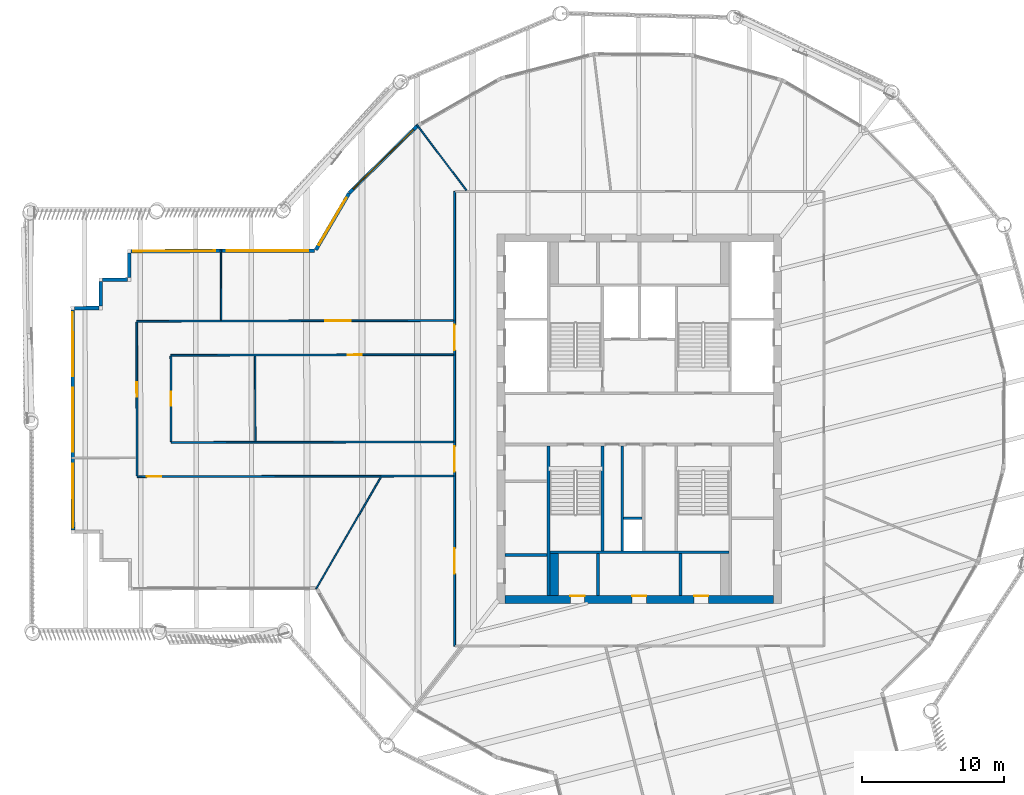
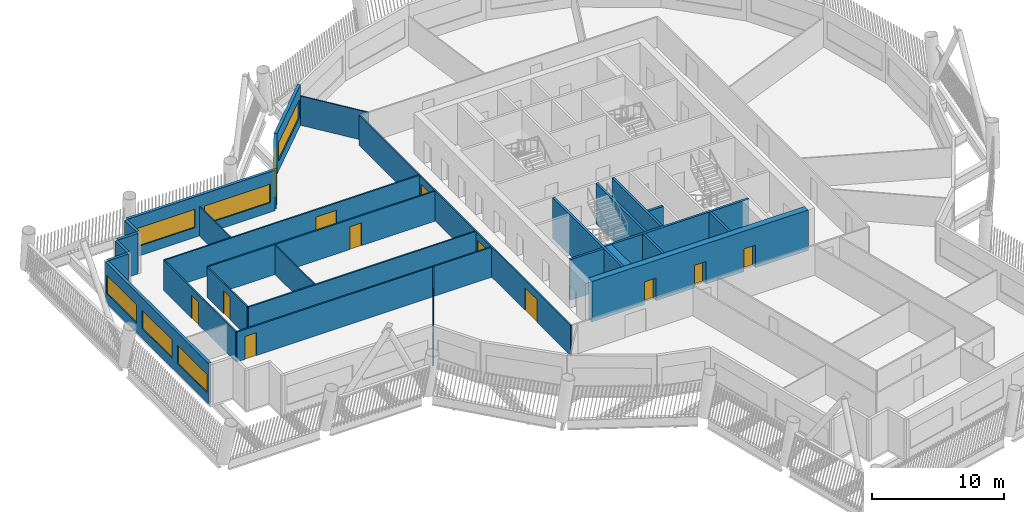
# One storey, part 4 of 22: 29 walls, 11 doors, 7 windows, 18 openings.
"""IFC4 building model written with IfcOpenShell, lengths in metres."""

from ifc_helpers import new_model, si_unit, direction, frame, frame_2d, origin, place, context, subcontext, project, spatial, rectangle, extrude, material, layer, layer_set, type_object, element, fill, save


model = new_model("IFC4")

# Units and contexts
model_context = context("Model", 3, precision=1e-05, world=origin(), true_north=direction((0.0, 1.0)))
body_context = subcontext(model_context, "Body", "Model", "MODEL_VIEW")
ifc_project = project(units=[si_unit("LENGTHUNIT", "METRE"), si_unit("AREAUNIT", "SQUARE_METRE"), si_unit("VOLUMEUNIT", "CUBIC_METRE"), si_unit("PLANEANGLEUNIT", "RADIAN"), si_unit("MASSUNIT", "GRAM", prefix="KILO")], contexts=[model_context])

# Site, building, storey
site_placement = place(None, origin())
site = spatial("IfcSite", under=ifc_project, at=site_placement, CompositionType="ELEMENT")
building_placement = place(site_placement, origin())
building = spatial("IfcBuilding", under=site, at=building_placement, Name="Tarsis Ring Headquarters", CompositionType="ELEMENT")
storey_placement = place(building_placement, frame((0.0, 0.0, 286.39990234375)))
storey = spatial("IfcBuildingStorey", under=building, at=storey_placement, Name="L67", CompositionType="ELEMENT", Elevation=286.39990234375)

# Walls
ifc_material_1 = material(Name="Blockwork", Category="masonry")
ifc_layer_1 = layer(ifc_material_1, 0.199951171875)
ifc_layer_set_1 = layer_set([ifc_layer_1], Name="Core blockwork wall 200")
wall_type_1 = type_object("IfcWallType", Name="Core blockwork wall 200", PredefinedType="PARTITIONING", material=ifc_layer_set_1)
for number, where, z_axis, x_axis, name in (
    (1, (-9.449951171875, -9.60009765625, 0.0), (0.0, 0.0, 1.0), (1.0, 0.0, 0.0), "Core partition WD1"),
    (2, (-2.89990234375, -12.449951171875, 0.0), (0.0, 0.0, 1.0), (0.0, 1.0, 0.0), "Core partition SD1"),
    (3, (2.89990234375, -12.449951171875, 0.0), (0.0, 0.0, 1.0), (0.0, 1.0, 0.0), "Core partition SD3"),
):
    element("IfcWall", number, at=place(storey_placement, frame(where, z_axis=z_axis, x_axis=x_axis)), inside=storey, type_object=wall_type_1, Name=name, PredefinedType="PARTITIONING", context=body_context, shape_type="SweptSolid", body=[
        extrude(rectangle(XDim=2.949951171875, YDim=0.199951171875, at=frame_2d((1.47509765625, 0.0))), origin(), (0.0, 0.0, 1.0), 3.739990234375),
    ])
wall_1_placement = place(storey_placement, frame((-1.10009765625, -7.0, 0.0), z_axis=(0.0, 0.0, 1.0), x_axis=(1.0, 0.0, 0.0)))
element("IfcWall", 4, at=wall_1_placement, inside=storey, type_object=wall_type_1, Name="Core partition SP2", PredefinedType="PARTITIONING", context=body_context, shape_type="SweptSolid", body=[
    extrude(rectangle(XDim=1.300048828125, YDim=0.199951171875, at=frame_2d((0.64990234375, 0.0))), origin(), (0.0, 0.0, 1.0), 3.739990234375),
])
wall_2_placement = place(storey_placement, frame((-1.199951171875, -9.300048828125, 0.0), z_axis=(0.0, 0.0, 1.0), x_axis=(0.0, 1.0, 0.0)))
element("IfcWall", 5, at=wall_2_placement, inside=storey, type_object=wall_type_1, Name="Core partition SV1", PredefinedType="PARTITIONING", context=body_context, shape_type="SweptSolid", body=[
    extrude(rectangle(XDim=7.400146484375, YDim=0.199951171875, at=frame_2d((3.7001953125, 0.0))), origin(), (0.0, 0.0, 1.0), 3.739990234375),
])

# Wall, openings, doors
ifc_material_2 = material(Name="Concrete C50/60", Category="concrete")
ifc_layer_2 = layer(ifc_material_2, 0.550048828125)
ifc_layer_set_2 = layer_set([ifc_layer_2], Name="Core wall 550 C50/60")
wall_type_2 = type_object("IfcWallType", Name="Core wall 550 C50/60", PredefinedType="SHEAR", material=ifc_layer_set_2)
wall_3_placement = place(storey_placement, frame((-9.449951171875, -12.72509765625, 0.0), z_axis=(0.0, 0.0, 1.0), x_axis=(1.0, 0.0, 0.0)))
wall_3 = element("IfcWall", 6, at=wall_3_placement, inside=storey, type_object=wall_type_2, Name="Core wall OS", PredefinedType="SHEAR", context=body_context, shape_type="SweptSolid", body=[
    extrude(rectangle(XDim=18.89990234375, YDim=0.550048828125, at=frame_2d((9.449951171875, 0.0))), origin(), (0.0, 0.0, 1.0), 3.739990234375),
])
opening_1_placement = place(wall_3_placement, frame((4.60009765625, 0.0, 0.0)))
opening_1 = element("IfcOpeningElement", 7, at=opening_1_placement, cuts=wall_3, Name="Opening L67-C19", PredefinedType="OPENING", context=body_context, shape_type="SweptSolid", body=[
    extrude(rectangle(XDim=1.0, YDim=2.10009765625, at=frame_2d((0.5, 1.050048828125))), frame((0.0, 0.284912109375, 0.0), z_axis=(0.0, -1.0, 0.0), x_axis=(1.0, 0.0, 0.0)), (0.0, 0.0, 1.0), 0.570068359375),
])
opening_2_placement = place(wall_3_placement, frame((8.949951171875, 0.0, 0.0)))
opening_2 = element("IfcOpeningElement", 8, at=opening_2_placement, cuts=wall_3, Name="Opening L67-C20", PredefinedType="OPENING", context=body_context, shape_type="SweptSolid", body=[
    extrude(rectangle(XDim=1.0, YDim=2.10009765625, at=frame_2d((0.5, 1.050048828125))), frame((0.0, 0.284912109375, 0.0), z_axis=(0.0, -1.0, 0.0), x_axis=(1.0, 0.0, 0.0)), (0.0, 0.0, 1.0), 0.570068359375),
])
opening_3_placement = place(wall_3_placement, frame((13.300048828125, 0.0, 0.0)))
opening_3 = element("IfcOpeningElement", 9, at=opening_3_placement, cuts=wall_3, Name="Opening L67-C21", PredefinedType="OPENING", context=body_context, shape_type="SweptSolid", body=[
    extrude(rectangle(XDim=1.0, YDim=2.10009765625, at=frame_2d((0.5, 1.050048828125))), frame((0.0, 0.284912109375, 0.0), z_axis=(0.0, -1.0, 0.0), x_axis=(1.0, 0.0, 0.0)), (0.0, 0.0, 1.0), 0.570068359375),
])
ifc_material_3 = material(Name="Steel S355", Category="steel")
door_type_1 = type_object("IfcDoorType", Name="Core room door 1000x2100", OperationType="SINGLE_SWING_LEFT", PredefinedType="DOOR", material=ifc_material_3)
door_1_placement = place(opening_1_placement, origin())
door_1 = element("IfcDoor", 10, at=door_1_placement, inside=storey, type_object=door_type_1, Name="Core room door L67", OperationType="SINGLE_SWING_LEFT", OverallHeight=2.10009765625, OverallWidth=1.0, PredefinedType="DOOR", context=body_context, shape_type="SweptSolid", body=[
    extrude(rectangle(XDim=1.0, YDim=2.10009765625, at=frame_2d((0.5, 1.050048828125))), frame((0.0, 0.27490234375, 0.0), z_axis=(0.0, -1.0, 0.0), x_axis=(1.0, 0.0, 0.0)), (0.0, 0.0, 1.0), 0.050048828125),
])
fill(opening_1, door_1)
door_2_placement = place(opening_2_placement, origin())
door_2 = element("IfcDoor", 11, at=door_2_placement, inside=storey, type_object=door_type_1, Name="Core room door L67", OperationType="SINGLE_SWING_LEFT", OverallHeight=2.10009765625, OverallWidth=1.0, PredefinedType="DOOR", context=body_context, shape_type="SweptSolid", body=[
    extrude(rectangle(XDim=1.0, YDim=2.10009765625, at=frame_2d((0.5, 1.050048828125))), frame((0.0, 0.27490234375, 0.0), z_axis=(0.0, -1.0, 0.0), x_axis=(1.0, 0.0, 0.0)), (0.0, 0.0, 1.0), 0.050048828125),
])
fill(opening_2, door_2)
door_3_placement = place(opening_3_placement, origin())
door_3 = element("IfcDoor", 12, at=door_3_placement, inside=storey, type_object=door_type_1, Name="Core room door L67", OperationType="SINGLE_SWING_LEFT", OverallHeight=2.10009765625, OverallWidth=1.0, PredefinedType="DOOR", context=body_context, shape_type="SweptSolid", body=[
    extrude(rectangle(XDim=1.0, YDim=2.10009765625, at=frame_2d((0.5, 1.050048828125))), frame((0.0, 0.27490234375, 0.0), z_axis=(0.0, -1.0, 0.0), x_axis=(1.0, 0.0, 0.0)), (0.0, 0.0, 1.0), 0.050048828125),
])
fill(opening_3, door_3)

# Walls
ifc_material_4 = material(Name="Gypsum board on steel studs", Category="steel")
ifc_layer_3 = layer(ifc_material_4, 0.10009765625)
ifc_layer_set_3 = layer_set([ifc_layer_3], Name="FL partition 100 unrated")
wall_type_3 = type_object("IfcWallType", Name="FL partition 100 unrated", PredefinedType="PARTITIONING", material=ifc_layer_set_3)
wall_4_placement = place(storey_placement, frame((-22.754150390625, -11.97265625, 0.0), z_axis=(0.0, 0.0, 1.0), x_axis=(0.501964291493, 0.864888345433, 0.0)))
element("IfcWall", 13, at=wall_4_placement, inside=storey, type_object=wall_type_3, Name="Partition PW3", PredefinedType="PARTITIONING", context=body_context, shape_type="SweptSolid", body=[
    extrude(rectangle(XDim=9.08154296875, YDim=0.10009765625, at=frame_2d((4.540771484375, 0.0))), origin(), (0.0, 0.0, 1.0), 2.7001953125),
])
wall_5_placement = place(storey_placement, frame((-27.039306640625, 4.413330078125, 0.0), z_axis=(0.0, 0.0, 1.0), x_axis=(0.00211588068, -0.999997761522, 0.0)))
element("IfcWall", 14, at=wall_5_placement, inside=storey, type_object=wall_type_3, Name="Partition PW3", PredefinedType="PARTITIONING", context=body_context, shape_type="SweptSolid", body=[
    extrude(rectangle(XDim=6.0, YDim=0.10009765625, at=frame_2d((3.0, 0.0))), origin(), (0.0, 0.0, 1.0), 2.7001953125),
])
wall_6_placement = place(storey_placement, frame((-15.6591796875, 20.690185546875, 0.0), z_axis=(0.0, 0.0, 1.0), x_axis=(0.603460085082, -0.797393206463, 0.0)))
element("IfcWall", 15, at=wall_6_placement, inside=storey, type_object=wall_type_3, Name="Partition PW3", PredefinedType="PARTITIONING", context=body_context, shape_type="SweptSolid", body=[
    extrude(rectangle(XDim=5.781982421875, YDim=0.10009765625, at=frame_2d((2.89111328125, 0.0))), origin(), (0.0, 0.0, 1.0), 2.7001953125),
])
wall_7_placement = place(storey_placement, frame((-29.445068359375, 11.888427734375, 0.0), z_axis=(0.0, 0.0, 1.0), x_axis=(0.002125131111, -0.999997741906, 0.0)))
element("IfcWall", 16, at=wall_7_placement, inside=storey, type_object=wall_type_3, Name="Partition PW3", PredefinedType="PARTITIONING", context=body_context, shape_type="SweptSolid", body=[
    extrude(rectangle(XDim=4.93994140625, YDim=0.10009765625, at=frame_2d((2.469970703125, 0.0))), origin(), (0.0, 0.0, 1.0), 2.7001953125),
])

# Wall, openings, doors
ifc_layer_4 = layer(ifc_material_4, 0.125)
ifc_layer_set_4 = layer_set([ifc_layer_4], Name="FL partition 125 EI 60 H2770")
wall_type_4 = type_object("IfcWallType", Name="FL partition 125 EI 60 H2770", PredefinedType="PARTITIONING", material=ifc_layer_set_4)
wall_8_placement = place(storey_placement, frame((-13.0, -16.0, 0.0), z_axis=(0.0, 0.0, 1.0), x_axis=(0.0, 1.0, 0.0)))
wall_8 = element("IfcWall", 17, at=wall_8_placement, inside=storey, type_object=wall_type_4, Name="Partition PW1", PredefinedType="PARTITIONING", context=body_context, shape_type="SweptSolid", body=[
    extrude(rectangle(XDim=32.0, YDim=0.125, at=frame_2d((16.0, 0.0))), origin(), (0.0, 0.0, 1.0), 2.77001953125),
])
opening_4_placement = place(wall_8_placement, frame((5.08642578125, 0.0, 0.0)))
opening_4 = element("IfcOpeningElement", 18, at=opening_4_placement, cuts=wall_8, Name="Opening D67.13", PredefinedType="OPENING", context=body_context, shape_type="SweptSolid", body=[
    extrude(rectangle(XDim=1.800048828125, YDim=2.10009765625, at=frame_2d((0.89990234375, 1.050048828125))), frame((0.0, 0.072509765625, 0.0), z_axis=(0.0, -1.0, 0.0), x_axis=(1.0, 0.0, 0.0)), (0.0, 0.0, 1.0), 0.14501953125),
])
opening_5_placement = place(wall_8_placement, frame((12.272705078125, 0.0, 0.0)))
opening_5 = element("IfcOpeningElement", 19, at=opening_5_placement, cuts=wall_8, Name="Opening D67.20", PredefinedType="OPENING", context=body_context, shape_type="SweptSolid", body=[
    extrude(rectangle(XDim=1.800048828125, YDim=2.10009765625, at=frame_2d((0.89990234375, 1.050048828125))), frame((0.0, 0.072509765625, 0.0), z_axis=(0.0, -1.0, 0.0), x_axis=(1.0, 0.0, 0.0)), (0.0, 0.0, 1.0), 0.14501953125),
])
opening_6_placement = place(wall_8_placement, frame((20.812744140625, 0.0, 0.0)))
opening_6 = element("IfcOpeningElement", 20, at=opening_6_placement, cuts=wall_8, Name="Opening D67.21", PredefinedType="OPENING", context=body_context, shape_type="SweptSolid", body=[
    extrude(rectangle(XDim=1.800048828125, YDim=2.10009765625, at=frame_2d((0.89990234375, 1.050048828125))), frame((0.0, 0.072509765625, 0.0), z_axis=(0.0, -1.0, 0.0), x_axis=(1.0, 0.0, 0.0)), (0.0, 0.0, 1.0), 0.14501953125),
])
ifc_material_5 = material(Name="Fire-rated timber door leaf in steel frame", Category="steel")
door_type_2 = type_object("IfcDoorType", Name="FL door FD60-1800", OperationType="DOUBLE_DOOR_SINGLE_SWING", PredefinedType="DOOR", material=ifc_material_5)
door_4_placement = place(opening_4_placement, origin())
door_4 = element("IfcDoor", 21, at=door_4_placement, inside=storey, type_object=door_type_2, Name="Door D67.13", OperationType="DOUBLE_DOOR_SINGLE_SWING", OverallHeight=2.10009765625, OverallWidth=1.800048828125, PredefinedType="DOOR", context=body_context, shape_type="SweptSolid", body=[
    extrude(rectangle(XDim=1.800048828125, YDim=2.10009765625, at=frame_2d((0.89990234375, 1.050048828125))), frame((0.0, 0.02490234375, 0.0), z_axis=(0.0, -1.0, 0.0), x_axis=(1.0, 0.0, 0.0)), (0.0, 0.0, 1.0), 0.050048828125),
])
fill(opening_4, door_4)
door_5_placement = place(opening_5_placement, origin())
door_5 = element("IfcDoor", 22, at=door_5_placement, inside=storey, type_object=door_type_2, Name="Door D67.20", OperationType="DOUBLE_DOOR_SINGLE_SWING", OverallHeight=2.10009765625, OverallWidth=1.800048828125, PredefinedType="DOOR", context=body_context, shape_type="SweptSolid", body=[
    extrude(rectangle(XDim=1.800048828125, YDim=2.10009765625, at=frame_2d((0.89990234375, 1.050048828125))), frame((0.0, 0.02490234375, 0.0), z_axis=(0.0, -1.0, 0.0), x_axis=(1.0, 0.0, 0.0)), (0.0, 0.0, 1.0), 0.050048828125),
])
fill(opening_5, door_5)
door_6_placement = place(opening_6_placement, origin())
door_6 = element("IfcDoor", 23, at=door_6_placement, inside=storey, type_object=door_type_2, Name="Door D67.21", OperationType="DOUBLE_DOOR_SINGLE_SWING", OverallHeight=2.10009765625, OverallWidth=1.800048828125, PredefinedType="DOOR", context=body_context, shape_type="SweptSolid", body=[
    extrude(rectangle(XDim=1.800048828125, YDim=2.10009765625, at=frame_2d((0.89990234375, 1.050048828125))), frame((0.0, 0.02490234375, 0.0), z_axis=(0.0, -1.0, 0.0), x_axis=(1.0, 0.0, 0.0)), (0.0, 0.0, 1.0), 0.050048828125),
])
fill(opening_6, door_6)

# Wall, opening, door
wall_9_placement = place(storey_placement, frame((-35.37451171875, 6.865966796875, 0.0), z_axis=(0.0, 0.0, 1.0), x_axis=(0.999997814591, 0.002090648788, 0.0)))
wall_9 = element("IfcWall", 24, at=wall_9_placement, inside=storey, type_object=wall_type_4, Name="Partition PW1", PredefinedType="PARTITIONING", context=body_context, shape_type="SweptSolid", body=[
    extrude(rectangle(XDim=22.304443359375, YDim=0.125, at=frame_2d((11.15234375, 0.0))), origin(), (0.0, 0.0, 1.0), 2.77001953125),
])
opening_7_placement = place(wall_9_placement, frame((13.255126953125, 0.0, 0.0)))
opening_7 = element("IfcOpeningElement", 25, at=opening_7_placement, cuts=wall_9, Name="Opening D67.03", PredefinedType="OPENING", context=body_context, shape_type="SweptSolid", body=[
    extrude(rectangle(XDim=1.800048828125, YDim=2.10009765625, at=frame_2d((0.89990234375, 1.050048828125))), frame((0.0, 0.072509765625, 0.0), z_axis=(0.0, -1.0, 0.0), x_axis=(1.0, 0.0, 0.0)), (0.0, 0.0, 1.0), 0.14501953125),
])
door_7_placement = place(opening_7_placement, origin())
door_7 = element("IfcDoor", 26, at=door_7_placement, inside=storey, type_object=door_type_2, Name="Door D67.03", OperationType="DOUBLE_DOOR_SINGLE_SWING", OverallHeight=2.10009765625, OverallWidth=1.800048828125, PredefinedType="DOOR", context=body_context, shape_type="SweptSolid", body=[
    extrude(rectangle(XDim=1.800048828125, YDim=2.10009765625, at=frame_2d((0.89990234375, 1.050048828125))), frame((0.0, 0.02490234375, 0.0), z_axis=(0.0, -1.0, 0.0), x_axis=(1.0, 0.0, 0.0)), (0.0, 0.0, 1.0), 0.050048828125),
])
fill(opening_7, door_7)

wall_10_placement = place(storey_placement, frame((-35.3515625, -4.073974609375, 0.0), z_axis=(0.0, 0.0, 1.0), x_axis=(0.999997810087, 0.002092802079, 0.0)))
wall_10 = element("IfcWall", 27, at=wall_10_placement, inside=storey, type_object=wall_type_4, Name="Partition PW1", PredefinedType="PARTITIONING", context=body_context, shape_type="SweptSolid", body=[
    extrude(rectangle(XDim=22.281494140625, YDim=0.125, at=frame_2d((11.140625, 0.0))), origin(), (0.0, 0.0, 1.0), 2.77001953125),
])
opening_8_placement = place(wall_10_placement, frame((0.699951171875, 0.0, 0.0)))
opening_8 = element("IfcOpeningElement", 28, at=opening_8_placement, cuts=wall_10, Name="Opening D67.01", PredefinedType="OPENING", context=body_context, shape_type="SweptSolid", body=[
    extrude(rectangle(XDim=1.0, YDim=2.10009765625, at=frame_2d((0.5, 1.050048828125))), frame((0.0, 0.072509765625, 0.0), z_axis=(0.0, -1.0, 0.0), x_axis=(1.0, 0.0, 0.0)), (0.0, 0.0, 1.0), 0.14501953125),
])
door_type_3 = type_object("IfcDoorType", Name="FL door FD60-1000", OperationType="NOTDEFINED", PredefinedType="DOOR", material=ifc_material_5)
door_8_placement = place(opening_8_placement, origin())
door_8 = element("IfcDoor", 29, at=door_8_placement, inside=storey, type_object=door_type_3, Name="Door D67.01", OperationType="SINGLE_SWING_RIGHT", OverallHeight=2.10009765625, OverallWidth=1.0, PredefinedType="DOOR", context=body_context, shape_type="SweptSolid", body=[
    extrude(rectangle(XDim=1.0, YDim=2.10009765625, at=frame_2d((0.5, 1.050048828125))), frame((0.0, 0.02490234375, 0.0), z_axis=(0.0, -1.0, 0.0), x_axis=(1.0, 0.0, 0.0)), (0.0, 0.0, 1.0), 0.050048828125),
])
fill(opening_8, door_8)

wall_11_placement = place(storey_placement, frame((-32.969482421875, 4.470947265625, 0.0), z_axis=(0.0, 0.0, 1.0), x_axis=(0.999997799303, 0.002097948958, 0.0)))
wall_11 = element("IfcWall", 30, at=wall_11_placement, inside=storey, type_object=wall_type_4, Name="Partition PW1", PredefinedType="PARTITIONING", context=body_context, shape_type="SweptSolid", body=[
    extrude(rectangle(XDim=19.8994140625, YDim=0.125, at=frame_2d((9.94970703125, 0.0))), origin(), (0.0, 0.0, 1.0), 2.77001953125),
])
opening_9_placement = place(wall_11_placement, frame((12.447998046875, 0.0, 0.0)))
opening_9 = element("IfcOpeningElement", 31, at=opening_9_placement, cuts=wall_11, Name="Opening D67.14", PredefinedType="OPENING", context=body_context, shape_type="SweptSolid", body=[
    extrude(rectangle(XDim=1.0, YDim=2.10009765625, at=frame_2d((0.5, 1.050048828125))), frame((0.0, 0.072509765625, 0.0), z_axis=(0.0, -1.0, 0.0), x_axis=(1.0, 0.0, 0.0)), (0.0, 0.0, 1.0), 0.14501953125),
])
door_9_placement = place(opening_9_placement, origin())
door_9 = element("IfcDoor", 32, at=door_9_placement, inside=storey, type_object=door_type_3, Name="Door D67.14", OperationType="SINGLE_SWING_LEFT", OverallHeight=2.10009765625, OverallWidth=1.0, PredefinedType="DOOR", context=body_context, shape_type="SweptSolid", body=[
    extrude(rectangle(XDim=1.0, YDim=2.10009765625, at=frame_2d((0.5, 1.050048828125))), frame((0.0, 0.02490234375, 0.0), z_axis=(0.0, -1.0, 0.0), x_axis=(1.0, 0.0, 0.0)), (0.0, 0.0, 1.0), 0.050048828125),
])
fill(opening_9, door_9)

# Wall
wall_12_placement = place(storey_placement, frame((-32.95654296875, -1.6689453125, 0.0), z_axis=(0.0, 0.0, 1.0), x_axis=(0.999997822135, 0.00208703738, 0.0)))
element("IfcWall", 33, at=wall_12_placement, inside=storey, type_object=wall_type_4, Name="Partition PW1", PredefinedType="PARTITIONING", context=body_context, shape_type="SweptSolid", body=[
    extrude(rectangle(XDim=19.886474609375, YDim=0.125, at=frame_2d((9.943359375, 0.0))), origin(), (0.0, 0.0, 1.0), 2.77001953125),
])

# Wall, opening, door
wall_13_placement = place(storey_placement, frame((-35.374267578125, 6.805908203125, 0.0), z_axis=(0.0, 0.0, 1.0), x_axis=(0.00207590148, -0.999997845314, 0.0)))
wall_13 = element("IfcWall", 34, at=wall_13_placement, inside=storey, type_object=wall_type_4, Name="Partition PW1", PredefinedType="PARTITIONING", context=body_context, shape_type="SweptSolid", body=[
    extrude(rectangle(XDim=10.81982421875, YDim=0.125, at=frame_2d((5.409912109375, 0.0))), origin(), (0.0, 0.0, 1.0), 2.77001953125),
])
opening_10_placement = place(wall_13_placement, frame((4.243408203125, 0.0, 0.0)))
opening_10 = element("IfcOpeningElement", 35, at=opening_10_placement, cuts=wall_13, Name="Opening D67.02", PredefinedType="OPENING", context=body_context, shape_type="SweptSolid", body=[
    extrude(rectangle(XDim=1.0, YDim=2.10009765625, at=frame_2d((0.5, 1.050048828125))), frame((0.0, 0.072509765625, 0.0), z_axis=(0.0, -1.0, 0.0), x_axis=(1.0, 0.0, 0.0)), (0.0, 0.0, 1.0), 0.14501953125),
])
door_10_placement = place(opening_10_placement, origin())
door_10 = element("IfcDoor", 36, at=door_10_placement, inside=storey, type_object=door_type_3, Name="Door D67.02", OperationType="SINGLE_SWING_LEFT", OverallHeight=2.10009765625, OverallWidth=1.0, PredefinedType="DOOR", context=body_context, shape_type="SweptSolid", body=[
    extrude(rectangle(XDim=1.0, YDim=2.10009765625, at=frame_2d((0.5, 1.050048828125))), frame((0.0, 0.02490234375, 0.0), z_axis=(0.0, -1.0, 0.0), x_axis=(1.0, 0.0, 0.0)), (0.0, 0.0, 1.0), 0.050048828125),
])
fill(opening_10, door_10)

wall_14_placement = place(storey_placement, frame((-32.96923828125, 4.410888671875, 0.0), z_axis=(0.0, 0.0, 1.0), x_axis=(0.002068373724, -0.999997860913, 0.0)))
wall_14 = element("IfcWall", 37, at=wall_14_placement, inside=storey, type_object=wall_type_4, Name="Partition PW1", PredefinedType="PARTITIONING", context=body_context, shape_type="SweptSolid", body=[
    extrude(rectangle(XDim=6.019775390625, YDim=0.125, at=frame_2d((3.009765625, 0.0))), origin(), (0.0, 0.0, 1.0), 2.77001953125),
])
opening_11_placement = place(wall_14_placement, frame((2.510009765625, 0.0, 0.0)))
opening_11 = element("IfcOpeningElement", 38, at=opening_11_placement, cuts=wall_14, Name="Opening D67.15", PredefinedType="OPENING", context=body_context, shape_type="SweptSolid", body=[
    extrude(rectangle(XDim=1.0, YDim=2.10009765625, at=frame_2d((0.5, 1.050048828125))), frame((0.0, 0.072509765625, 0.0), z_axis=(0.0, -1.0, 0.0), x_axis=(1.0, 0.0, 0.0)), (0.0, 0.0, 1.0), 0.14501953125),
])
door_11_placement = place(opening_11_placement, origin())
door_11 = element("IfcDoor", 39, at=door_11_placement, inside=storey, type_object=door_type_3, Name="Door D67.15", OperationType="SINGLE_SWING_RIGHT", OverallHeight=2.10009765625, OverallWidth=1.0, PredefinedType="DOOR", context=body_context, shape_type="SweptSolid", body=[
    extrude(rectangle(XDim=1.0, YDim=2.10009765625, at=frame_2d((0.5, 1.050048828125))), frame((0.0, 0.02490234375, 0.0), z_axis=(0.0, -1.0, 0.0), x_axis=(1.0, 0.0, 0.0)), (0.0, 0.0, 1.0), 0.050048828125),
])
fill(opening_11, door_11)

# Wall, opening, window
ifc_material_6 = material(Name="Terracotta clad insulated panel wall", Category="masonry")
ifc_layer_5 = layer(ifc_material_6, 0.25)
ifc_layer_set_5 = layer_set([ifc_layer_5], Name="Facade wall terracotta panel 250")
wall_type_5 = type_object("IfcWallType", Name="Facade wall terracotta panel 250", PredefinedType="STANDARD", material=ifc_layer_set_5)
wall_15_placement = place(storey_placement, frame((-15.626220703125, 20.61962890625, 0.0), z_axis=(0.0, 0.0, 1.0), x_axis=(-0.711794786542, -0.70238748697, 0.0)))
wall_15 = element("IfcWall", 40, at=wall_15_placement, inside=storey, type_object=wall_type_5, Name="External wall L67-29", PredefinedType="STANDARD", context=body_context, shape_type="SweptSolid", body=[
    extrude(rectangle(XDim=6.7216796875, YDim=0.25, at=frame_2d((3.36083984375, 0.0))), origin(), (0.0, 0.0, 1.0), 3.739990234375),
])
opening_12_placement = place(wall_15_placement, frame((0.3857421875, 0.0, 0.89990234375)))
opening_12 = element("IfcOpeningElement", 41, at=opening_12_placement, cuts=wall_15, Name="Opening WN07", PredefinedType="OPENING", context=body_context, shape_type="SweptSolid", body=[
    extrude(rectangle(XDim=5.949951171875, YDim=1.699951171875, at=frame_2d((2.97509765625, 0.85009765625))), frame((0.0, 0.135009765625, 0.0), z_axis=(0.0, -1.0, 0.0), x_axis=(1.0, 0.0, 0.0)), (0.0, 0.0, 1.0), 0.27001953125),
])
ifc_material_7 = material(Name="Aluminium framed double glazing", Category="aluminium")
window_type_1 = type_object("IfcWindowType", Name="Facade window 5950 x 1700", PartitioningType="SINGLE_PANEL", PredefinedType="WINDOW", material=ifc_material_7)
window_1_placement = place(opening_12_placement, origin())
window_1 = element("IfcWindow", 42, at=window_1_placement, inside=storey, type_object=window_type_1, Name="Window L67-29.1", OverallHeight=1.699951171875, OverallWidth=5.949951171875, PartitioningType="SINGLE_PANEL", PredefinedType="WINDOW", context=body_context, shape_type="SweptSolid", body=[
    extrude(rectangle(XDim=5.949951171875, YDim=1.699951171875, at=frame_2d((2.97509765625, 0.85009765625))), frame((0.0, 0.030029296875, 0.0), z_axis=(0.0, -1.0, 0.0), x_axis=(1.0, 0.0, 0.0)), (0.0, 0.0, 1.0), 0.06005859375),
])
fill(opening_12, window_1)

wall_16_placement = place(storey_placement, frame((-20.4306640625, 15.87255859375, 0.0), z_axis=(0.0, 0.0, 1.0), x_axis=(-0.505714072205, -0.862701151717, 0.0)))
wall_16 = element("IfcWall", 43, at=wall_16_placement, inside=storey, type_object=wall_type_5, Name="External wall L67-30", PredefinedType="STANDARD", context=body_context, shape_type="SweptSolid", body=[
    extrude(rectangle(XDim=4.61767578125, YDim=0.25, at=frame_2d((2.308837890625, 0.0))), origin(), (0.0, 0.0, 1.0), 3.739990234375),
])
opening_13_placement = place(wall_16_placement, frame((0.367431640625, 0.0, 0.89990234375)))
opening_13 = element("IfcOpeningElement", 44, at=opening_13_placement, cuts=wall_16, Name="Opening WN02", PredefinedType="OPENING", context=body_context, shape_type="SweptSolid", body=[
    extrude(rectangle(XDim=3.85009765625, YDim=1.699951171875, at=frame_2d((1.925048828125, 0.85009765625))), frame((0.0, 0.135009765625, 0.0), z_axis=(0.0, -1.0, 0.0), x_axis=(1.0, 0.0, 0.0)), (0.0, 0.0, 1.0), 0.27001953125),
])
window_type_2 = type_object("IfcWindowType", Name="Facade window 3850 x 1700", PartitioningType="SINGLE_PANEL", PredefinedType="WINDOW", material=ifc_material_7)
window_2_placement = place(opening_13_placement, origin())
window_2 = element("IfcWindow", 45, at=window_2_placement, inside=storey, type_object=window_type_2, Name="Window L67-30.1", OverallHeight=1.699951171875, OverallWidth=3.85009765625, PartitioningType="SINGLE_PANEL", PredefinedType="WINDOW", context=body_context, shape_type="SweptSolid", body=[
    extrude(rectangle(XDim=3.85009765625, YDim=1.699951171875, at=frame_2d((1.925048828125, 0.85009765625))), frame((0.0, 0.030029296875, 0.0), z_axis=(0.0, -1.0, 0.0), x_axis=(1.0, 0.0, 0.0)), (0.0, 0.0, 1.0), 0.06005859375),
])
fill(opening_13, window_2)

# Wall, openings, windows
wall_17_placement = place(storey_placement, frame((-22.87353515625, 11.8271484375, 0.0), z_axis=(0.0, 0.0, 1.0), x_axis=(-0.99999779391, -0.002100517658, 0.0)))
wall_17 = element("IfcWall", 46, at=wall_17_placement, inside=storey, type_object=wall_type_5, Name="External wall L67-31", PredefinedType="STANDARD", context=body_context, shape_type="SweptSolid", body=[
    extrude(rectangle(XDim=12.9013671875, YDim=0.25, at=frame_2d((6.45068359375, 0.0))), origin(), (0.0, 0.0, 1.0), 3.739990234375),
])
opening_14_placement = place(wall_17_placement, frame((0.412841796875, 0.0, 0.89990234375)))
opening_14 = element("IfcOpeningElement", 47, at=opening_14_placement, cuts=wall_17, Name="Opening WN06", PredefinedType="OPENING", context=body_context, shape_type="SweptSolid", body=[
    extrude(rectangle(XDim=5.75, YDim=1.699951171875, at=frame_2d((2.875, 0.85009765625))), frame((0.0, 0.135009765625, 0.0), z_axis=(0.0, -1.0, 0.0), x_axis=(1.0, 0.0, 0.0)), (0.0, 0.0, 1.0), 0.27001953125),
])
opening_15_placement = place(wall_17_placement, frame((6.988525390625, 0.0, 0.89990234375)))
opening_15 = element("IfcOpeningElement", 48, at=opening_15_placement, cuts=wall_17, Name="Opening WN06", PredefinedType="OPENING", context=body_context, shape_type="SweptSolid", body=[
    extrude(rectangle(XDim=5.75, YDim=1.699951171875, at=frame_2d((2.875, 0.85009765625))), frame((0.0, 0.135009765625, 0.0), z_axis=(0.0, -1.0, 0.0), x_axis=(1.0, 0.0, 0.0)), (0.0, 0.0, 1.0), 0.27001953125),
])
window_type_3 = type_object("IfcWindowType", Name="Facade window 5750 x 1700", PartitioningType="SINGLE_PANEL", PredefinedType="WINDOW", material=ifc_material_7)
window_3_placement = place(opening_14_placement, origin())
window_3 = element("IfcWindow", 49, at=window_3_placement, inside=storey, type_object=window_type_3, Name="Window L67-31.1", OverallHeight=1.699951171875, OverallWidth=5.75, PartitioningType="SINGLE_PANEL", PredefinedType="WINDOW", context=body_context, shape_type="SweptSolid", body=[
    extrude(rectangle(XDim=5.75, YDim=1.699951171875, at=frame_2d((2.875, 0.85009765625))), frame((0.0, 0.030029296875, 0.0), z_axis=(0.0, -1.0, 0.0), x_axis=(1.0, 0.0, 0.0)), (0.0, 0.0, 1.0), 0.06005859375),
])
fill(opening_14, window_3)
window_4_placement = place(opening_15_placement, origin())
window_4 = element("IfcWindow", 50, at=window_4_placement, inside=storey, type_object=window_type_3, Name="Window L67-31.2", OverallHeight=1.699951171875, OverallWidth=5.75, PartitioningType="SINGLE_PANEL", PredefinedType="WINDOW", context=body_context, shape_type="SweptSolid", body=[
    extrude(rectangle(XDim=5.75, YDim=1.699951171875, at=frame_2d((2.875, 0.85009765625))), frame((0.0, 0.030029296875, 0.0), z_axis=(0.0, -1.0, 0.0), x_axis=(1.0, 0.0, 0.0)), (0.0, 0.0, 1.0), 0.06005859375),
])
fill(opening_15, window_4)

# Walls
for number, where, z_axis, x_axis, name in (
    (51, (-35.8994140625, 11.6748046875, 0.0), (0.0, 0.0, 1.0), (0.002092629347, -0.999997810449, 0.0), "External wall L67-32"),
    (52, (-36.0205078125, 9.799560546875, 0.0), (0.0, 0.0, 1.0), (-0.999997810449, -0.002092629347, 0.0), "External wall L67-33"),
    (53, (-37.895263671875, 9.670654296875, 0.0), (0.0, 0.0, 1.0), (0.002092629347, -0.999997810449, 0.0), "External wall L67-34"),
    (54, (-38.016357421875, 7.79541015625, 0.0), (0.0, 0.0, 1.0), (-0.999997810449, -0.002092629347, 0.0), "External wall L67-35"),
):
    element("IfcWall", number, at=place(storey_placement, frame(where, z_axis=z_axis, x_axis=x_axis)), inside=storey, type_object=wall_type_5, Name=name, PredefinedType="STANDARD", context=body_context, shape_type="SweptSolid", body=[
        extrude(rectangle(XDim=1.75, YDim=0.25, at=frame_2d((0.875, 0.0))), origin(), (0.0, 0.0, 1.0), 3.739990234375),
    ])

# Wall, openings, windows
wall_18_placement = place(storey_placement, frame((-39.89111328125, 7.66650390625, 0.0), z_axis=(0.0, 0.0, 1.0), x_axis=(0.002094879476, -0.999997805738, 0.0)))
wall_18 = element("IfcWall", 55, at=wall_18_placement, inside=storey, type_object=wall_type_5, Name="External wall L67-36", PredefinedType="STANDARD", context=body_context, shape_type="SweptSolid", body=[
    extrude(rectangle(XDim=15.5, YDim=0.25, at=frame_2d((7.75, 0.0))), origin(), (0.0, 0.0, 1.0), 3.739990234375),
])
opening_16_placement = place(wall_18_placement, frame((0.166748046875, 0.0, 0.89990234375)))
opening_16 = element("IfcOpeningElement", 56, at=opening_16_placement, cuts=wall_18, Name="Opening WN04", PredefinedType="OPENING", context=body_context, shape_type="SweptSolid", body=[
    extrude(rectangle(XDim=4.5, YDim=1.699951171875, at=frame_2d((2.25, 0.85009765625))), frame((0.0, 0.135009765625, 0.0), z_axis=(0.0, -1.0, 0.0), x_axis=(1.0, 0.0, 0.0)), (0.0, 0.0, 1.0), 0.27001953125),
])
opening_17_placement = place(wall_18_placement, frame((5.5, 0.0, 0.89990234375)))
opening_17 = element("IfcOpeningElement", 57, at=opening_17_placement, cuts=wall_18, Name="Opening WN04", PredefinedType="OPENING", context=body_context, shape_type="SweptSolid", body=[
    extrude(rectangle(XDim=4.5, YDim=1.699951171875, at=frame_2d((2.25, 0.85009765625))), frame((0.0, 0.135009765625, 0.0), z_axis=(0.0, -1.0, 0.0), x_axis=(1.0, 0.0, 0.0)), (0.0, 0.0, 1.0), 0.27001953125),
])
opening_18_placement = place(wall_18_placement, frame((10.833251953125, 0.0, 0.89990234375)))
opening_18 = element("IfcOpeningElement", 58, at=opening_18_placement, cuts=wall_18, Name="Opening WN04", PredefinedType="OPENING", context=body_context, shape_type="SweptSolid", body=[
    extrude(rectangle(XDim=4.5, YDim=1.699951171875, at=frame_2d((2.25, 0.85009765625))), frame((0.0, 0.135009765625, 0.0), z_axis=(0.0, -1.0, 0.0), x_axis=(1.0, 0.0, 0.0)), (0.0, 0.0, 1.0), 0.27001953125),
])
window_type_4 = type_object("IfcWindowType", Name="Facade window 4500 x 1700", PartitioningType="SINGLE_PANEL", PredefinedType="WINDOW", material=ifc_material_7)
window_5_placement = place(opening_16_placement, origin())
window_5 = element("IfcWindow", 59, at=window_5_placement, inside=storey, type_object=window_type_4, Name="Window L67-36.1", OverallHeight=1.699951171875, OverallWidth=4.5, PartitioningType="SINGLE_PANEL", PredefinedType="WINDOW", context=body_context, shape_type="SweptSolid", body=[
    extrude(rectangle(XDim=4.5, YDim=1.699951171875, at=frame_2d((2.25, 0.85009765625))), frame((0.0, 0.030029296875, 0.0), z_axis=(0.0, -1.0, 0.0), x_axis=(1.0, 0.0, 0.0)), (0.0, 0.0, 1.0), 0.06005859375),
])
fill(opening_16, window_5)
window_6_placement = place(opening_17_placement, origin())
window_6 = element("IfcWindow", 60, at=window_6_placement, inside=storey, type_object=window_type_4, Name="Window L67-36.2", OverallHeight=1.699951171875, OverallWidth=4.5, PartitioningType="SINGLE_PANEL", PredefinedType="WINDOW", context=body_context, shape_type="SweptSolid", body=[
    extrude(rectangle(XDim=4.5, YDim=1.699951171875, at=frame_2d((2.25, 0.85009765625))), frame((0.0, 0.030029296875, 0.0), z_axis=(0.0, -1.0, 0.0), x_axis=(1.0, 0.0, 0.0)), (0.0, 0.0, 1.0), 0.06005859375),
])
fill(opening_17, window_6)
window_7_placement = place(opening_18_placement, origin())
window_7 = element("IfcWindow", 61, at=window_7_placement, inside=storey, type_object=window_type_4, Name="Window L67-36.3", OverallHeight=1.699951171875, OverallWidth=4.5, PartitioningType="SINGLE_PANEL", PredefinedType="WINDOW", context=body_context, shape_type="SweptSolid", body=[
    extrude(rectangle(XDim=4.5, YDim=1.699951171875, at=frame_2d((2.25, 0.85009765625))), frame((0.0, 0.030029296875, 0.0), z_axis=(0.0, -1.0, 0.0), x_axis=(1.0, 0.0, 0.0)), (0.0, 0.0, 1.0), 0.06005859375),
])
fill(opening_18, window_7)

# Walls
ifc_material_8 = material(Name="Concrete C32/40", Category="concrete")
ifc_layer_6 = layer(ifc_material_8, 0.60009765625)
ifc_layer_set_6 = layer_set([ifc_layer_6], Name="Shaft end wall 600 C32/40")
wall_type_6 = type_object("IfcWallType", Name="Shaft end wall 600 C32/40", PredefinedType="SOLIDWALL", material=ifc_layer_set_6)
wall_19_placement = place(storey_placement, frame((-6.0, -12.449951171875, 0.0), z_axis=(0.0, 0.0, 1.0), x_axis=(0.0, 1.0, 0.0)))
element("IfcWall", 62, at=wall_19_placement, inside=storey, type_object=wall_type_6, Name="Core shaft wall SNE1", PredefinedType="SOLIDWALL", context=body_context, shape_type="SweptSolid", body=[
    extrude(rectangle(XDim=2.949951171875, YDim=0.60009765625, at=frame_2d((1.47509765625, 0.0))), origin(), (0.0, 0.0, 1.0), 3.739990234375),
])
ifc_layer_7 = layer(ifc_material_8, 0.199951171875)
ifc_layer_set_7 = layer_set([ifc_layer_7], Name="Shaft wall 200 C32/40")
wall_type_7 = type_object("IfcWallType", Name="Shaft wall 200 C32/40", PredefinedType="SOLIDWALL", material=ifc_layer_set_7)
wall_20_placement = place(storey_placement, frame((-6.39990234375, -12.449951171875, 0.0), z_axis=(0.0, 0.0, 1.0), x_axis=(0.0, 1.0, 0.0)))
element("IfcWall", 63, at=wall_20_placement, inside=storey, type_object=wall_type_7, Name="Core shaft wall WB1", PredefinedType="SOLIDWALL", context=body_context, shape_type="SweptSolid", body=[
    extrude(rectangle(XDim=10.550048828125, YDim=0.199951171875, at=frame_2d((5.27490234375, 0.0))), origin(), (0.0, 0.0, 1.0), 3.739990234375),
])
wall_21_placement = place(storey_placement, frame((-6.300048828125, -9.39990234375, 0.0), z_axis=(0.0, 0.0, 1.0), x_axis=(1.0, 0.0, 0.0)))
element("IfcWall", 64, at=wall_21_placement, inside=storey, type_object=wall_type_7, Name="Core shaft wall SB", PredefinedType="SOLIDWALL", context=body_context, shape_type="SweptSolid", body=[
    extrude(rectangle(XDim=12.60009765625, YDim=0.199951171875, at=frame_2d((6.300048828125, 0.0))), origin(), (0.0, 0.0, 1.0), 3.739990234375),
])
wall_22_placement = place(storey_placement, frame((-2.60009765625, -9.300048828125, 0.0), z_axis=(0.0, 0.0, 1.0), x_axis=(0.0, 1.0, 0.0)))
element("IfcWall", 65, at=wall_22_placement, inside=storey, type_object=wall_type_7, Name="Core shaft wall SW3", PredefinedType="SOLIDWALL", context=body_context, shape_type="SweptSolid", body=[
    extrude(rectangle(XDim=7.400146484375, YDim=0.199951171875, at=frame_2d((3.7001953125, 0.0))), origin(), (0.0, 0.0, 1.0), 3.739990234375),
])

save(model, "model.ifc")
